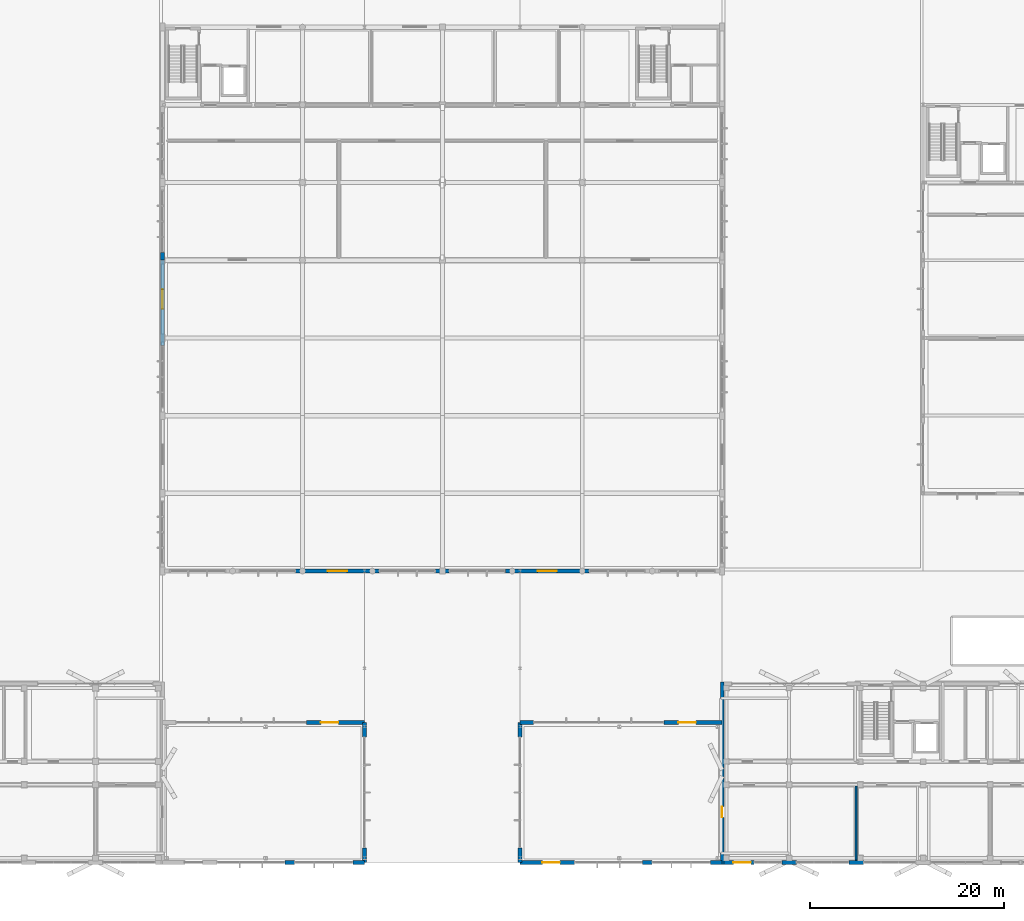
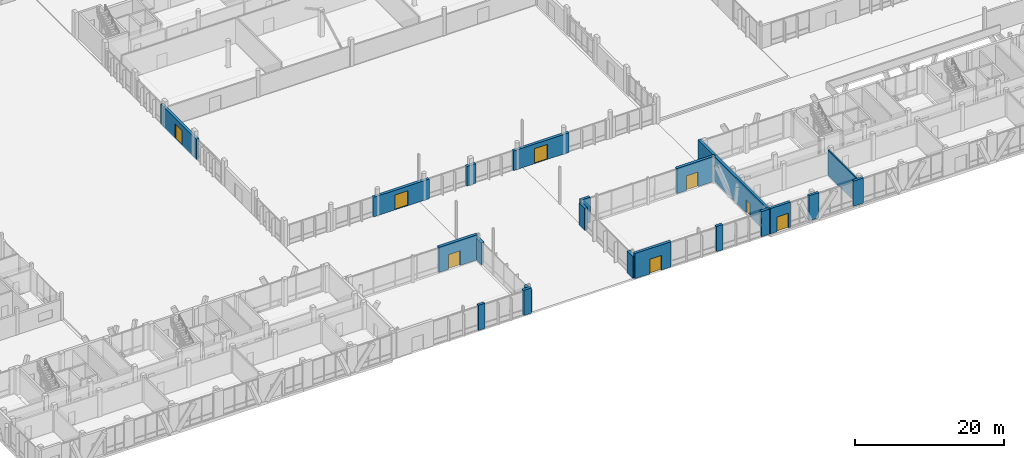
# One storey, part 193 of 233: 22 walls, 8 doors, 8 openings.
"""IFC4 building model written with IfcOpenShell, lengths in metres."""

from ifc_helpers import new_model, si_unit, direction, frame, frame_2d, origin, origin_with_axes, place, context, subcontext, project, spatial, rectangle, extrude, material, layer, layer_set, type_object, element, fill, save


model = new_model("IFC4")

# Units and contexts
model_context = context("Model", 3, precision=1e-05, world=origin(), true_north=direction((0.0, 1.0)))
body_context = subcontext(model_context, "Body", "Model", "MODEL_VIEW")
ifc_project = project(units=[si_unit("LENGTHUNIT", "METRE"), si_unit("AREAUNIT", "SQUARE_METRE"), si_unit("VOLUMEUNIT", "CUBIC_METRE"), si_unit("PLANEANGLEUNIT", "RADIAN"), si_unit("MASSUNIT", "GRAM", prefix="KILO")], contexts=[model_context])

# Site, building, storey
site_placement = place(None, origin())
site = spatial("IfcSite", under=ifc_project, at=site_placement, CompositionType="ELEMENT")
building_placement = place(site_placement, origin())
building = spatial("IfcBuilding", under=site, at=building_placement, Name="Zavelmont Quarter", CompositionType="ELEMENT")
storey_placement = place(building_placement, origin())
storey = spatial("IfcBuildingStorey", under=building, at=storey_placement, Name="L00", CompositionType="ELEMENT", Elevation=0.0)

# Wall, opening, door
ifc_material_1 = material(Name="Natural Belgian limestone", Category="masonry")
ifc_layer_1 = layer(ifc_material_1, 0.3798828125)
ifc_layer_set_1 = layer_set([ifc_layer_1], Name="Natural Belgian limestone")
wall_type_1 = type_object("IfcWallType", Name="EW01", PredefinedType="STANDARD", material=ifc_layer_set_1)
wall_1_placement = place(storey_placement, frame((112.97998046875, 0.0, 0.0), z_axis=(0.0, 0.0, 1.0), x_axis=(1.0, 0.0, 0.0)))
wall_1 = element("IfcWall", 1, at=wall_1_placement, inside=storey, type_object=wall_type_1, Name="L00 exterior limestone wall EW01", PredefinedType="STANDARD", context=body_context, shape_type="SweptSolid", body=[
    extrude(rectangle(XDim=3.1201171875, YDim=0.3798828125, at=frame_2d((1.56005859375, 0.0))), origin(), (0.0, 0.0, 1.0), 4.1201171875),
])
opening_1_placement = place(wall_1_placement, frame((0.969970703125, 0.0, 0.0)))
opening_1 = element("IfcOpeningElement", 2, at=opening_1_placement, cuts=wall_1, Name="Opening DR01", PredefinedType="OPENING", context=body_context, shape_type="SweptSolid", body=[
    extrude(rectangle(XDim=1.800048828125, YDim=2.39990234375, at=frame_2d((0.89990234375, 1.199951171875))), frame((0.0, 0.201904296875, 0.0), z_axis=(0.0, -1.0, 0.0), x_axis=(1.0, 0.0, 0.0)), (0.0, 0.0, 1.0), 0.40380859375),
])
ifc_material_2 = material(Name="Powder-coated aluminium and tempered double safety glass", Category="aluminium")
door_type_1 = type_object("IfcDoorType", Name="DR01", OperationType="DOUBLE_DOOR_SINGLE_SWING", PredefinedType="DOOR", material=ifc_material_2)
door_1_placement = place(opening_1_placement, frame((1.800048828125, 0.0, 0.0), z_axis=(0.0, 0.0, 1.0), x_axis=(-1.0, 0.0, 0.0)))
door_1 = element("IfcDoor", 3, at=door_1_placement, inside=storey, type_object=door_type_1, Name="Block D street entrance final exit door", OperationType="DOUBLE_DOOR_SINGLE_SWING", OverallHeight=2.39990234375, OverallWidth=1.800048828125, PredefinedType="DOOR", context=body_context, shape_type="SweptSolid", body=[
    extrude(rectangle(XDim=1.800048828125, YDim=2.39990234375, at=frame_2d((0.89990234375, 1.199951171875))), frame((0.0, 0.02490234375, 0.0), z_axis=(0.0, -1.0, 0.0), x_axis=(1.0, 0.0, 0.0)), (0.0, 0.0, 1.0), 0.050048828125),
])
fill(opening_1, door_1)

# Walls
for number, where, z_axis, x_axis, name in (
    (4, (118.949951171875, 0.0, 0.0), (0.0, 0.0, 1.0), (1.0, 0.0, 0.0), "L00 exterior limestone wall EW01"),
    (5, (125.85009765625, 0.0, 0.0), (0.0, 0.0, 1.0), (1.0, 0.0, 0.0), "L00 exterior limestone wall EW01"),
):
    element("IfcWall", number, at=place(storey_placement, frame(where, z_axis=z_axis, x_axis=x_axis)), inside=storey, type_object=wall_type_1, Name=name, PredefinedType="STANDARD", context=body_context, shape_type="SweptSolid", body=[
        extrude(rectangle(XDim=1.5, YDim=0.3798828125, at=frame_2d((0.75, 0.0))), origin(), (0.0, 0.0, 1.0), 4.1201171875),
    ])

# Wall, opening, door
wall_2_placement = place(storey_placement, frame((112.800048828125, -0.18994140625, 0.0), z_axis=(0.0, 0.0, 1.0), x_axis=(0.0, 1.0, 0.0)))
wall_2 = element("IfcWall", 6, at=wall_2_placement, inside=storey, type_object=wall_type_1, Name="L00 exterior limestone wall EW01", PredefinedType="STANDARD", context=body_context, shape_type="SweptSolid", body=[
    extrude(rectangle(XDim=18.780029296875, YDim=0.3798828125, at=frame_2d((9.39013671875, 0.0))), origin(), (0.0, 0.0, 1.0), 4.1201171875),
])
opening_2_placement = place(wall_2_placement, frame((4.840087890625, 0.0, 0.0)))
opening_2 = element("IfcOpeningElement", 7, at=opening_2_placement, cuts=wall_2, Name="Opening DR04B", PredefinedType="OPENING", context=body_context, shape_type="SweptSolid", body=[
    extrude(rectangle(XDim=1.10009765625, YDim=2.10009765625, at=frame_2d((0.550048828125, 1.050048828125))), frame((0.0, 0.201904296875, 0.0), z_axis=(0.0, -1.0, 0.0), x_axis=(1.0, 0.0, 0.0)), (0.0, 0.0, 1.0), 0.40380859375),
])
ifc_material_3 = material(Name="Thermally broken aluminium and double safety glass", Category="aluminium")
door_type_2 = type_object("IfcDoorType", Name="DR04B", OperationType="NOTDEFINED", PredefinedType="DOOR", material=ifc_material_3)
door_2_placement = place(opening_2_placement, frame((1.10009765625, 0.0, 0.0), z_axis=(0.0, 0.0, 1.0), x_axis=(-1.0, 0.0, 0.0)))
door_2 = element("IfcDoor", 8, at=door_2_placement, inside=storey, type_object=door_type_2, Name="Block D L00 street arcade link door", OperationType="SINGLE_SWING_LEFT", OverallHeight=2.10009765625, OverallWidth=1.10009765625, PredefinedType="DOOR", context=body_context, shape_type="SweptSolid", body=[
    extrude(rectangle(XDim=1.10009765625, YDim=2.10009765625, at=frame_2d((0.550048828125, 1.050048828125))), frame((0.0, 0.02490234375, 0.0), z_axis=(0.0, -1.0, 0.0), x_axis=(1.0, 0.0, 0.0)), (0.0, 0.0, 1.0), 0.050048828125),
])
fill(opening_2, door_2)

ifc_layer_2 = layer(ifc_material_1, 0.419921875)
ifc_layer_set_2 = layer_set([ifc_layer_2], Name="Natural Belgian limestone")
wall_type_2 = type_object("IfcWallType", Name="EW04", PredefinedType="STANDARD", material=ifc_layer_set_2)
wall_3_placement = place(storey_placement, frame((55.199951171875, 53.199951171875, 0.0), z_axis=(0.0, 0.0, 1.0), x_axis=(0.0, 1.0, 0.0)))
wall_3 = element("IfcWall", 9, at=wall_3_placement, inside=storey, type_object=wall_type_2, Name="L00 exterior limestone wall EW04", PredefinedType="STANDARD", context=body_context, shape_type="SweptSolid", body=[
    extrude(rectangle(XDim=8.800048828125, YDim=0.419921875, at=frame_2d((4.39990234375, 0.0))), origin(), (0.0, 0.0, 1.0), 3.360107421875),
])
opening_3_placement = place(wall_3_placement, frame((3.800048828125, 0.0, 0.0)))
opening_3 = element("IfcOpeningElement", 10, at=opening_3_placement, cuts=wall_3, Name="Opening DR01A", PredefinedType="OPENING", context=body_context, shape_type="SweptSolid", body=[
    extrude(rectangle(XDim=2.0, YDim=2.449951171875, at=frame_2d((1.0, 1.22509765625))), frame((0.0, 0.221923828125, 0.0), z_axis=(0.0, -1.0, 0.0), x_axis=(1.0, 0.0, 0.0)), (0.0, 0.0, 1.0), 0.44384765625),
])
door_type_3 = type_object("IfcDoorType", Name="DR01A", OperationType="DOUBLE_DOOR_SINGLE_SWING", PredefinedType="DOOR", material=ifc_material_2)
door_3_placement = place(opening_3_placement, origin_with_axes())
door_3 = element("IfcDoor", 11, at=door_3_placement, inside=storey, type_object=door_type_3, Name="Community Hall West final exit door", OperationType="DOUBLE_DOOR_SINGLE_SWING", OverallHeight=2.449951171875, OverallWidth=2.0, PredefinedType="DOOR", context=body_context, shape_type="SweptSolid", body=[
    extrude(rectangle(XDim=2.0, YDim=2.449951171875, at=frame_2d((1.0, 1.22509765625))), frame((0.0, 0.02490234375, 0.0), z_axis=(0.0, -1.0, 0.0), x_axis=(1.0, 0.0, 0.0)), (0.0, 0.0, 1.0), 0.050048828125),
])
fill(opening_3, door_3)

# Wall
wall_4_placement = place(storey_placement, frame((55.199951171875, 62.0, 0.0), z_axis=(0.0, 0.0, 1.0), x_axis=(0.0, 1.0, 0.0)))
element("IfcWall", 12, at=wall_4_placement, inside=storey, type_object=wall_type_2, Name="L00 exterior limestone wall EW04", PredefinedType="STANDARD", context=body_context, shape_type="SweptSolid", body=[
    extrude(rectangle(XDim=0.800048828125, YDim=0.419921875, at=frame_2d((0.39990234375, 0.0))), origin(), (0.0, 0.0, 1.0), 3.360107421875),
])

# Wall, opening, door
wall_5_placement = place(storey_placement, frame((68.89990234375, 30.0, 0.0), z_axis=(0.0, 0.0, 1.0), x_axis=(1.0, 0.0, 0.0)))
wall_5 = element("IfcWall", 13, at=wall_5_placement, inside=storey, type_object=wall_type_2, Name="L00 exterior limestone wall EW04", PredefinedType="STANDARD", context=body_context, shape_type="SweptSolid", body=[
    extrude(rectangle(XDim=8.60009765625, YDim=0.419921875, at=frame_2d((4.300048828125, 0.0))), origin(), (0.0, 0.0, 1.0), 3.2099609375),
])
opening_4_placement = place(wall_5_placement, frame((3.300048828125, 0.0, 0.0)))
opening_4 = element("IfcOpeningElement", 14, at=opening_4_placement, cuts=wall_5, Name="Opening DR01A", PredefinedType="OPENING", context=body_context, shape_type="SweptSolid", body=[
    extrude(rectangle(XDim=2.0, YDim=2.449951171875, at=frame_2d((1.0, 1.22509765625))), frame((0.0, 0.221923828125, 0.0), z_axis=(0.0, -1.0, 0.0), x_axis=(1.0, 0.0, 0.0)), (0.0, 0.0, 1.0), 0.44384765625),
])
door_4_placement = place(opening_4_placement, frame((2.0, 0.0, 0.0), z_axis=(0.0, 0.0, 1.0), x_axis=(-1.0, 0.0, 0.0)))
door_4 = element("IfcDoor", 15, at=door_4_placement, inside=storey, type_object=door_type_3, Name="Community Hall South ceremonial exit door", OperationType="DOUBLE_DOOR_SINGLE_SWING", OverallHeight=2.449951171875, OverallWidth=2.0, PredefinedType="DOOR", context=body_context, shape_type="SweptSolid", body=[
    extrude(rectangle(XDim=2.0, YDim=2.449951171875, at=frame_2d((1.0, 1.22509765625))), frame((0.0, 0.02490234375, 0.0), z_axis=(0.0, -1.0, 0.0), x_axis=(1.0, 0.0, 0.0)), (0.0, 0.0, 1.0), 0.050048828125),
])
fill(opening_4, door_4)

# Wall
wall_6_placement = place(storey_placement, frame((83.300048828125, 30.0, 0.0), z_axis=(0.0, 0.0, 1.0), x_axis=(1.0, 0.0, 0.0)))
element("IfcWall", 16, at=wall_6_placement, inside=storey, type_object=wall_type_2, Name="L00 exterior limestone wall EW04", PredefinedType="STANDARD", context=body_context, shape_type="SweptSolid", body=[
    extrude(rectangle(XDim=1.39990234375, YDim=0.419921875, at=frame_2d((0.699951171875, 0.0))), origin(), (0.0, 0.0, 1.0), 3.2099609375),
])

# Wall, opening, door
wall_7_placement = place(storey_placement, frame((90.5, 30.0, 0.0), z_axis=(0.0, 0.0, 1.0), x_axis=(1.0, 0.0, 0.0)))
wall_7 = element("IfcWall", 17, at=wall_7_placement, inside=storey, type_object=wall_type_2, Name="L00 exterior limestone wall EW04", PredefinedType="STANDARD", context=body_context, shape_type="SweptSolid", body=[
    extrude(rectangle(XDim=8.60009765625, YDim=0.419921875, at=frame_2d((4.300048828125, 0.0))), origin(), (0.0, 0.0, 1.0), 3.2099609375),
])
opening_5_placement = place(wall_7_placement, frame((3.300048828125, 0.0, 0.0)))
opening_5 = element("IfcOpeningElement", 18, at=opening_5_placement, cuts=wall_7, Name="Opening DR01A", PredefinedType="OPENING", context=body_context, shape_type="SweptSolid", body=[
    extrude(rectangle(XDim=2.0, YDim=2.449951171875, at=frame_2d((1.0, 1.22509765625))), frame((0.0, 0.221923828125, 0.0), z_axis=(0.0, -1.0, 0.0), x_axis=(1.0, 0.0, 0.0)), (0.0, 0.0, 1.0), 0.44384765625),
])
door_5_placement = place(opening_5_placement, frame((2.0, 0.0, 0.0), z_axis=(0.0, 0.0, 1.0), x_axis=(-1.0, 0.0, 0.0)))
door_5 = element("IfcDoor", 19, at=door_5_placement, inside=storey, type_object=door_type_3, Name="Community Hall South ceremonial exit door", OperationType="DOUBLE_DOOR_SINGLE_SWING", OverallHeight=2.449951171875, OverallWidth=2.0, PredefinedType="DOOR", context=body_context, shape_type="SweptSolid", body=[
    extrude(rectangle(XDim=2.0, YDim=2.449951171875, at=frame_2d((1.0, 1.22509765625))), frame((0.0, 0.02490234375, 0.0), z_axis=(0.0, -1.0, 0.0), x_axis=(1.0, 0.0, 0.0)), (0.0, 0.0, 1.0), 0.050048828125),
])
fill(opening_5, door_5)

# Walls
wall_8_placement = place(storey_placement, frame((67.800048828125, 0.0, 0.0), z_axis=(0.0, 0.0, 1.0), x_axis=(1.0, 0.0, 0.0)))
element("IfcWall", 20, at=wall_8_placement, inside=storey, type_object=wall_type_2, Name="L00 exterior limestone wall EW04", PredefinedType="STANDARD", context=body_context, shape_type="SweptSolid", body=[
    extrude(rectangle(XDim=1.0, YDim=0.419921875, at=frame_2d((0.5, 0.0))), origin(), (0.0, 0.0, 1.0), 4.1201171875),
])
wall_9_placement = place(storey_placement, frame((74.800048828125, 0.0, 0.0), z_axis=(0.0, 0.0, 1.0), x_axis=(1.0, 0.0, 0.0)))
element("IfcWall", 21, at=wall_9_placement, inside=storey, type_object=wall_type_2, Name="L00 exterior limestone wall EW04", PredefinedType="STANDARD", context=body_context, shape_type="SweptSolid", body=[
    extrude(rectangle(XDim=1.199951171875, YDim=0.419921875, at=frame_2d((0.60009765625, 0.0))), origin(), (0.0, 0.0, 1.0), 4.1201171875),
])

# Wall, opening, door
wall_10_placement = place(storey_placement, frame((70.0, 14.39990234375, 0.0), z_axis=(0.0, 0.0, 1.0), x_axis=(1.0, 0.0, 0.0)))
wall_10 = element("IfcWall", 22, at=wall_10_placement, inside=storey, type_object=wall_type_2, Name="L00 exterior limestone wall EW04", PredefinedType="STANDARD", context=body_context, shape_type="SweptSolid", body=[
    extrude(rectangle(XDim=6.0, YDim=0.419921875, at=frame_2d((3.0, 0.0))), origin(), (0.0, 0.0, 1.0), 4.1201171875),
])
opening_6_placement = place(wall_10_placement, frame((1.5, 0.0, 0.0)))
opening_6 = element("IfcOpeningElement", 23, at=opening_6_placement, cuts=wall_10, Name="Opening DR01", PredefinedType="OPENING", context=body_context, shape_type="SweptSolid", body=[
    extrude(rectangle(XDim=1.800048828125, YDim=2.39990234375, at=frame_2d((0.89990234375, 1.199951171875))), frame((0.0, 0.221923828125, 0.0), z_axis=(0.0, -1.0, 0.0), x_axis=(1.0, 0.0, 0.0)), (0.0, 0.0, 1.0), 0.44384765625),
])
door_6_placement = place(opening_6_placement, origin_with_axes())
door_6 = element("IfcDoor", 24, at=door_6_placement, inside=storey, type_object=door_type_1, Name="L00 exterior door DR01", OperationType="DOUBLE_DOOR_SINGLE_SWING", OverallHeight=2.39990234375, OverallWidth=1.800048828125, PredefinedType="DOOR", context=body_context, shape_type="SweptSolid", body=[
    extrude(rectangle(XDim=1.800048828125, YDim=2.39990234375, at=frame_2d((0.89990234375, 1.199951171875))), frame((0.0, 0.02490234375, 0.0), z_axis=(0.0, -1.0, 0.0), x_axis=(1.0, 0.0, 0.0)), (0.0, 0.0, 1.0), 0.050048828125),
])
fill(opening_6, door_6)

# Walls
for number, where, z_axis, x_axis, name in (
    (25, (76.0, 0.0, 0.0), (0.0, 0.0, 1.0), (0.0, 1.0, 0.0), "L00 exterior limestone wall EW04"),
    (26, (76.0, 12.89990234375, 0.0), (0.0, 0.0, 1.0), (0.0, 1.0, 0.0), "L00 exterior limestone wall EW04"),
):
    element("IfcWall", number, at=place(storey_placement, frame(where, z_axis=z_axis, x_axis=x_axis)), inside=storey, type_object=wall_type_2, Name=name, PredefinedType="STANDARD", context=body_context, shape_type="SweptSolid", body=[
        extrude(rectangle(XDim=1.5, YDim=0.419921875, at=frame_2d((0.75, 0.0))), origin(), (0.0, 0.0, 1.0), 3.610107421875),
    ])

# Wall, opening, door
wall_11_placement = place(storey_placement, frame((92.0, 0.0, 0.0), z_axis=(0.0, 0.0, 1.0), x_axis=(1.0, 0.0, 0.0)))
wall_11 = element("IfcWall", 27, at=wall_11_placement, inside=storey, type_object=wall_type_2, Name="L00 exterior limestone wall EW04", PredefinedType="STANDARD", context=body_context, shape_type="SweptSolid", body=[
    extrude(rectangle(XDim=5.60009765625, YDim=0.419921875, at=frame_2d((2.800048828125, 0.0))), origin(), (0.0, 0.0, 1.0), 4.1201171875),
])
opening_7_placement = place(wall_11_placement, frame((2.300048828125, 0.0, 0.0)))
opening_7 = element("IfcOpeningElement", 28, at=opening_7_placement, cuts=wall_11, Name="Opening DR01", PredefinedType="OPENING", context=body_context, shape_type="SweptSolid", body=[
    extrude(rectangle(XDim=1.800048828125, YDim=2.39990234375, at=frame_2d((0.89990234375, 1.199951171875))), frame((0.0, 0.221923828125, 0.0), z_axis=(0.0, -1.0, 0.0), x_axis=(1.0, 0.0, 0.0)), (0.0, 0.0, 1.0), 0.44384765625),
])
door_7_placement = place(opening_7_placement, frame((1.800048828125, 0.0, 0.0), z_axis=(0.0, 0.0, 1.0), x_axis=(-1.0, 0.0, 0.0)))
door_7 = element("IfcDoor", 29, at=door_7_placement, inside=storey, type_object=door_type_1, Name="L00 exterior door DR01", OperationType="DOUBLE_DOOR_SINGLE_SWING", OverallHeight=2.39990234375, OverallWidth=1.800048828125, PredefinedType="DOOR", context=body_context, shape_type="SweptSolid", body=[
    extrude(rectangle(XDim=1.800048828125, YDim=2.39990234375, at=frame_2d((0.89990234375, 1.199951171875))), frame((0.0, 0.02490234375, 0.0), z_axis=(0.0, -1.0, 0.0), x_axis=(1.0, 0.0, 0.0)), (0.0, 0.0, 1.0), 0.050048828125),
])
fill(opening_7, door_7)

# Walls
wall_12_placement = place(storey_placement, frame((104.60009765625, 0.0, 0.0), z_axis=(0.0, 0.0, 1.0), x_axis=(1.0, 0.0, 0.0)))
element("IfcWall", 30, at=wall_12_placement, inside=storey, type_object=wall_type_2, Name="L00 exterior limestone wall EW04", PredefinedType="STANDARD", context=body_context, shape_type="SweptSolid", body=[
    extrude(rectangle(XDim=1.0, YDim=0.419921875, at=frame_2d((0.5, 0.0))), origin(), (0.0, 0.0, 1.0), 4.1201171875),
])
wall_13_placement = place(storey_placement, frame((111.60009765625, 0.0, 0.0), z_axis=(0.0, 0.0, 1.0), x_axis=(1.0, 0.0, 0.0)))
element("IfcWall", 31, at=wall_13_placement, inside=storey, type_object=wall_type_2, Name="L00 exterior limestone wall EW04", PredefinedType="STANDARD", context=body_context, shape_type="SweptSolid", body=[
    extrude(rectangle(XDim=1.199951171875, YDim=0.419921875, at=frame_2d((0.60009765625, 0.0))), origin(), (0.0, 0.0, 1.0), 4.1201171875),
])
wall_14_placement = place(storey_placement, frame((92.0, 14.39990234375, 0.0), z_axis=(0.0, 0.0, 1.0), x_axis=(1.0, 0.0, 0.0)))
element("IfcWall", 32, at=wall_14_placement, inside=storey, type_object=wall_type_2, Name="L00 exterior limestone wall EW04", PredefinedType="STANDARD", context=body_context, shape_type="SweptSolid", body=[
    extrude(rectangle(XDim=1.39990234375, YDim=0.419921875, at=frame_2d((0.699951171875, 0.0))), origin(), (0.0, 0.0, 1.0), 4.1201171875),
])

# Wall, opening, door
wall_15_placement = place(storey_placement, frame((106.800048828125, 14.39990234375, 0.0), z_axis=(0.0, 0.0, 1.0), x_axis=(1.0, 0.0, 0.0)))
wall_15 = element("IfcWall", 33, at=wall_15_placement, inside=storey, type_object=wall_type_2, Name="L00 exterior limestone wall EW04", PredefinedType="STANDARD", context=body_context, shape_type="SweptSolid", body=[
    extrude(rectangle(XDim=6.0, YDim=0.419921875, at=frame_2d((3.0, 0.0))), origin(), (0.0, 0.0, 1.0), 4.1201171875),
])
opening_8_placement = place(wall_15_placement, frame((1.5, 0.0, 0.0)))
opening_8 = element("IfcOpeningElement", 34, at=opening_8_placement, cuts=wall_15, Name="Opening DR01", PredefinedType="OPENING", context=body_context, shape_type="SweptSolid", body=[
    extrude(rectangle(XDim=1.800048828125, YDim=2.39990234375, at=frame_2d((0.89990234375, 1.199951171875))), frame((0.0, 0.221923828125, 0.0), z_axis=(0.0, -1.0, 0.0), x_axis=(1.0, 0.0, 0.0)), (0.0, 0.0, 1.0), 0.44384765625),
])
door_8_placement = place(opening_8_placement, origin_with_axes())
door_8 = element("IfcDoor", 35, at=door_8_placement, inside=storey, type_object=door_type_1, Name="L00 exterior door DR01", OperationType="DOUBLE_DOOR_SINGLE_SWING", OverallHeight=2.39990234375, OverallWidth=1.800048828125, PredefinedType="DOOR", context=body_context, shape_type="SweptSolid", body=[
    extrude(rectangle(XDim=1.800048828125, YDim=2.39990234375, at=frame_2d((0.89990234375, 1.199951171875))), frame((0.0, 0.02490234375, 0.0), z_axis=(0.0, -1.0, 0.0), x_axis=(1.0, 0.0, 0.0)), (0.0, 0.0, 1.0), 0.050048828125),
])
fill(opening_8, door_8)

# Walls
for number, where, z_axis, x_axis, name in (
    (36, (92.0, 0.0, 0.0), (0.0, 0.0, 1.0), (0.0, 1.0, 0.0), "L00 exterior limestone wall EW04"),
    (37, (92.0, 12.89990234375, 0.0), (0.0, 0.0, 1.0), (0.0, 1.0, 0.0), "L00 exterior limestone wall EW04"),
):
    element("IfcWall", number, at=place(storey_placement, frame(where, z_axis=z_axis, x_axis=x_axis)), inside=storey, type_object=wall_type_2, Name=name, PredefinedType="STANDARD", context=body_context, shape_type="SweptSolid", body=[
        extrude(rectangle(XDim=1.5, YDim=0.419921875, at=frame_2d((0.75, 0.0))), origin(), (0.0, 0.0, 1.0), 3.610107421875),
    ])
ifc_material_4 = material(Name="Calcium-silicate blockwork and acoustic plaster", Category="masonry")
ifc_layer_3 = layer(ifc_material_4, 0.199951171875)
ifc_layer_set_3 = layer_set([ifc_layer_3], Name="Calcium-silicate blockwork and acoustic plaster")
wall_type_3 = type_object("IfcWallType", Name="IW01", PredefinedType="PARTITIONING", material=ifc_layer_set_3)
wall_16_placement = place(storey_placement, frame((126.60009765625, 0.25, 0.0), z_axis=(0.0, 0.0, 1.0), x_axis=(0.0, 1.0, 0.0)))
element("IfcWall", 38, at=wall_16_placement, inside=storey, type_object=wall_type_3, Name="L00 Interior partition IW01", PredefinedType="PARTITIONING", context=body_context, shape_type="SweptSolid", body=[
    extrude(rectangle(XDim=7.60009765625, YDim=0.199951171875, at=frame_2d((3.800048828125, 0.0))), origin(), (0.0, 0.0, 1.0), 4.1201171875),
])

save(model, "model.ifc")
